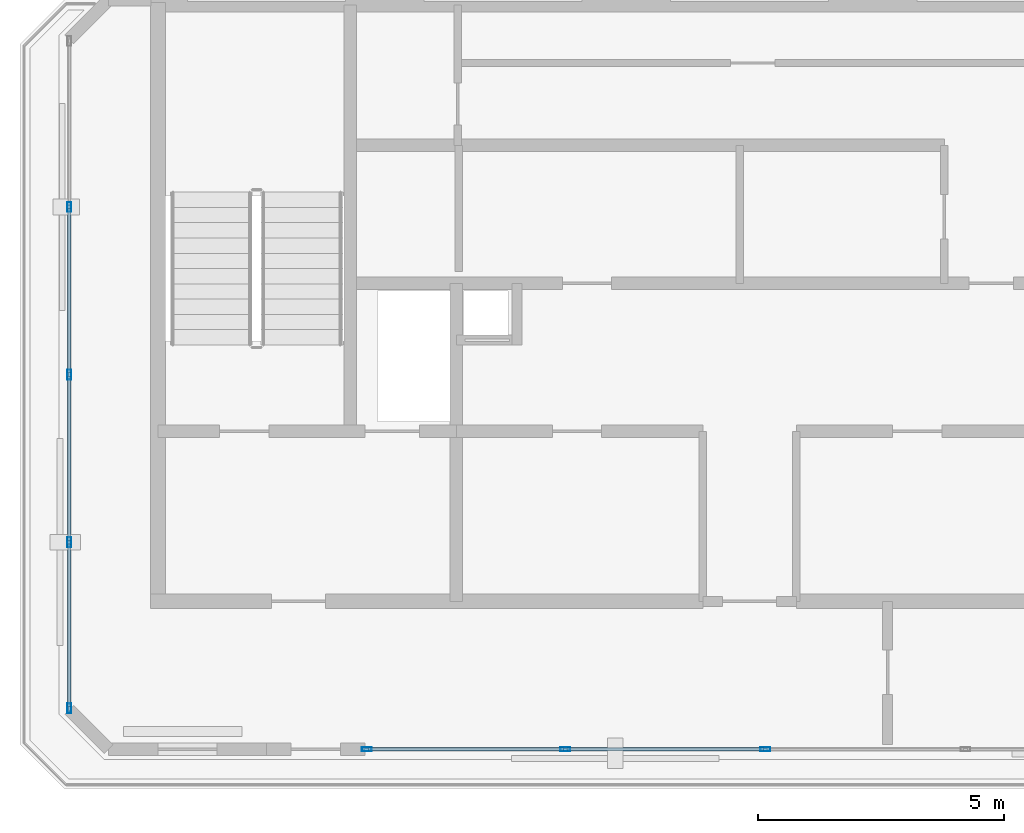
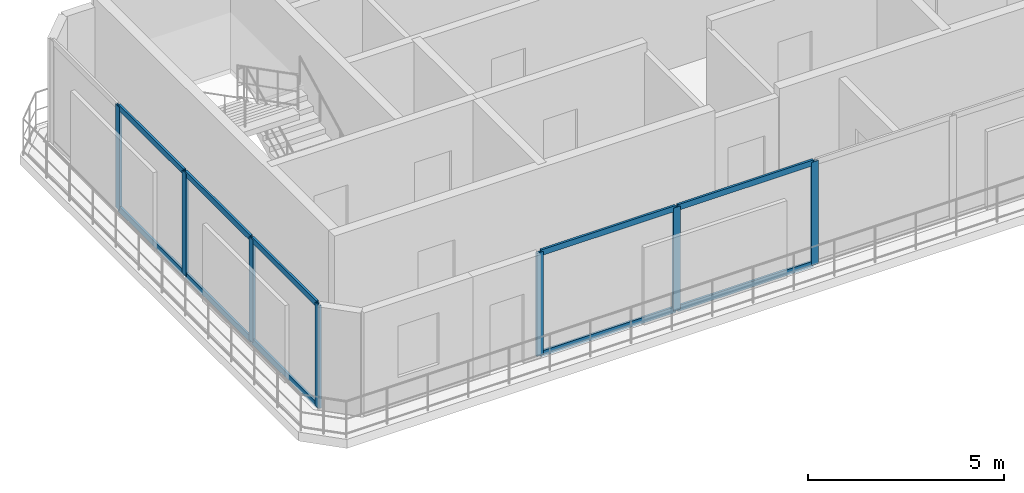
# One storey, part 1 of 7: 17 members, 2 elements without a shape of their own.
"""IFC4 building model written with IfcOpenShell, lengths in metres."""

from ifc_helpers import new_model, si_unit, direction, frame, origin, origin_2d, place, context, subcontext, project, spatial, hollow_rectangle, extrude, material, layer, layer_set, material_profile, profile_set, type_object, element, aggregate, save


model = new_model("IFC4")

# Units and contexts
model_context = context("Model", 3, precision=1e-05, world=origin(), true_north=direction((0.0, 1.0)))
body_context = subcontext(model_context, "Body", "Model", "MODEL_VIEW")
ifc_project = project(units=[si_unit("LENGTHUNIT", "METRE"), si_unit("AREAUNIT", "SQUARE_METRE"), si_unit("VOLUMEUNIT", "CUBIC_METRE"), si_unit("PLANEANGLEUNIT", "RADIAN"), si_unit("MASSUNIT", "GRAM", prefix="KILO")], contexts=[model_context])

# Site, building, storey
site_placement = place(None, origin())
site = spatial("IfcSite", under=ifc_project, at=site_placement, CompositionType="ELEMENT")
building_placement = place(site_placement, origin())
building = spatial("IfcBuilding", under=site, at=building_placement, Name="Catumbela Crestline Tower", CompositionType="ELEMENT")
storey_placement = place(building_placement, frame((0.0, 0.0, 311.5)))
storey = spatial("IfcBuildingStorey", under=building, at=storey_placement, Name="L80", CompositionType="ELEMENT", Elevation=311.5)

# Curtain wall, members
ifc_material = material(Name="Aluminium alloy AW-6060-T66", Category="aluminium")
ifc_layer = layer(ifc_material, 0.18, Name="Aluminium alloy AW-6060-T66")
ifc_layer_set = layer_set([ifc_layer], Name="Aluminium alloy AW-6060-T66")
curtain_wall_type = type_object("IfcCurtainWallType", Name="CWS-OBS", PredefinedType="USERDEFINED", material=ifc_layer_set)
curtain_wall_1_placement = place(storey_placement, origin())
curtain_wall_1 = element("IfcCurtainWall", 1, at=curtain_wall_1_placement, inside=storey, type_object=curtain_wall_type, Name="L80 Stick Curtain Wall CW-L80-E0S2", ObjectType="STICK", PredefinedType="USERDEFINED")
ifc_material_profile_1 = material_profile(ifc_material, hollow_rectangle(XDim=0.075, YDim=0.2, WallThickness=0.005, at=origin_2d()), Name="ALU 200x75x5")
ifc_profile_set_1 = profile_set([ifc_material_profile_1], Name="Aluminium alloy AW-6060-T66")
member_type_1 = type_object("IfcMemberType", Name="MUL-200X75", PredefinedType="MULLION", material=ifc_profile_set_1)
member_1_placement = place(storey_placement, frame((20.2325, 27.8, 0.0), z_axis=(0.0, 0.0, 1.0), x_axis=(0.0, 1.0, 0.0)))
member_1 = element("IfcMember", 2, at=member_1_placement, type_object=member_type_1, Name="CWS-OBS mullion 1", PredefinedType="MULLION", context=body_context, shape_type="SweptSolid", body=[
    extrude(hollow_rectangle(XDim=0.075, YDim=0.2, WallThickness=0.005, at=origin_2d()), origin(), (0.0, 0.0, 1.0), 3.21),
])
member_2_placement = place(storey_placement, frame((24.26, 27.8, 0.0), z_axis=(0.0, 0.0, 1.0), x_axis=(0.0, 1.0, 0.0)))
member_2 = element("IfcMember", 3, at=member_2_placement, type_object=member_type_1, Name="CWS-OBS mullion 2", PredefinedType="MULLION", context=body_context, shape_type="SweptSolid", body=[
    extrude(hollow_rectangle(XDim=0.075, YDim=0.2, WallThickness=0.005, at=origin_2d()), origin(), (0.0, 0.0, 1.0), 3.21),
])
member_3_placement = place(storey_placement, frame((28.32, 27.8, 0.0), z_axis=(0.0, 0.0, 1.0), x_axis=(0.0, 1.0, 0.0)))
member_3 = element("IfcMember", 4, at=member_3_placement, type_object=member_type_1, Name="CWS-OBS mullion 3", PredefinedType="MULLION", context=body_context, shape_type="SweptSolid", body=[
    extrude(hollow_rectangle(XDim=0.075, YDim=0.2, WallThickness=0.005, at=origin_2d()), origin(), (0.0, 0.0, 1.0), 3.21),
])

curtain_wall_2_placement = place(storey_placement, origin())
curtain_wall_2 = element("IfcCurtainWall", 5, at=curtain_wall_2_placement, inside=storey, type_object=curtain_wall_type, Name="L80 Stick Curtain Wall CW-L80-E6S1", ObjectType="STICK", PredefinedType="USERDEFINED")
member_4_placement = place(storey_placement, frame((14.2, 38.8, 0.0), z_axis=(0.0, 0.0, 1.0), x_axis=(1.0, 0.0, 0.0)))
member_4 = element("IfcMember", 6, at=member_4_placement, type_object=member_type_1, Name="CWS-OBS mullion 2", PredefinedType="MULLION", context=body_context, shape_type="SweptSolid", body=[
    extrude(hollow_rectangle(XDim=0.075, YDim=0.2, WallThickness=0.005, at=origin_2d()), origin(), (0.0, 0.0, 1.0), 3.21),
])
member_5_placement = place(storey_placement, frame((14.2, 35.4, 0.0), z_axis=(0.0, 0.0, 1.0), x_axis=(1.0, 0.0, 0.0)))
member_5 = element("IfcMember", 7, at=member_5_placement, type_object=member_type_1, Name="CWS-OBS mullion 3", PredefinedType="MULLION", context=body_context, shape_type="SweptSolid", body=[
    extrude(hollow_rectangle(XDim=0.075, YDim=0.2, WallThickness=0.005, at=origin_2d()), origin(), (0.0, 0.0, 1.0), 3.21),
])
member_6_placement = place(storey_placement, frame((14.2, 32.0, 0.0), z_axis=(0.0, 0.0, 1.0), x_axis=(1.0, 0.0, 0.0)))
member_6 = element("IfcMember", 8, at=member_6_placement, type_object=member_type_1, Name="CWS-OBS mullion 4", PredefinedType="MULLION", context=body_context, shape_type="SweptSolid", body=[
    extrude(hollow_rectangle(XDim=0.075, YDim=0.2, WallThickness=0.005, at=origin_2d()), origin(), (0.0, 0.0, 1.0), 3.21),
])
member_7_placement = place(storey_placement, frame((14.2, 28.6325, 0.0), z_axis=(0.0, 0.0, 1.0), x_axis=(1.0, 0.0, 0.0)))
member_7 = element("IfcMember", 9, at=member_7_placement, type_object=member_type_1, Name="CWS-OBS mullion 5", PredefinedType="MULLION", context=body_context, shape_type="SweptSolid", body=[
    extrude(hollow_rectangle(XDim=0.075, YDim=0.2, WallThickness=0.005, at=origin_2d()), origin(), (0.0, 0.0, 1.0), 3.21),
])

# Member
ifc_material_profile_2 = material_profile(ifc_material, hollow_rectangle(XDim=0.065, YDim=0.18, WallThickness=0.004, at=origin_2d()), Name="ALU 180x65x4")
ifc_profile_set_2 = profile_set([ifc_material_profile_2], Name="Aluminium alloy AW-6060-T66")
member_type_2 = type_object("IfcMemberType", Name="TRN-180X65", PredefinedType="USERDEFINED", material=ifc_profile_set_2)
member_8_placement = place(storey_placement, frame((20.265, 27.8, 0.03), z_axis=(1.0, 0.0, 0.0), x_axis=(0.0, 1.0, 0.0)))
member_8 = element("IfcMember", 10, at=member_8_placement, type_object=member_type_2, Name="CWS-OBS transom 1.1", ObjectType="TRANSOM", PredefinedType="USERDEFINED", context=body_context, shape_type="SweptSolid", body=[
    extrude(hollow_rectangle(XDim=0.065, YDim=0.18, WallThickness=0.004, at=origin_2d()), origin(), (0.0, 0.0, 1.0), 3.9625),
])

member_9_placement = place(storey_placement, frame((20.265, 27.8, 3.18), z_axis=(1.0, 0.0, 0.0), x_axis=(0.0, 1.0, 0.0)))
member_9 = element("IfcMember", 11, at=member_9_placement, type_object=member_type_2, Name="CWS-OBS transom 1.2", ObjectType="TRANSOM", PredefinedType="USERDEFINED", context=body_context, shape_type="SweptSolid", body=[
    extrude(hollow_rectangle(XDim=0.065, YDim=0.18, WallThickness=0.004, at=origin_2d()), origin(), (0.0, 0.0, 1.0), 3.9625),
])

member_10_placement = place(storey_placement, frame((24.2925, 27.8, 0.03), z_axis=(1.0, 0.0, 0.0), x_axis=(0.0, 1.0, 0.0)))
member_10 = element("IfcMember", 12, at=member_10_placement, type_object=member_type_2, Name="CWS-OBS transom 2.1", ObjectType="TRANSOM", PredefinedType="USERDEFINED", context=body_context, shape_type="SweptSolid", body=[
    extrude(hollow_rectangle(XDim=0.065, YDim=0.18, WallThickness=0.004, at=origin_2d()), origin(), (0.0, 0.0, 1.0), 3.995),
])

member_11_placement = place(storey_placement, frame((24.2925, 27.8, 3.18), z_axis=(1.0, 0.0, 0.0), x_axis=(0.0, 1.0, 0.0)))
member_11 = element("IfcMember", 13, at=member_11_placement, type_object=member_type_2, Name="CWS-OBS transom 2.2", ObjectType="TRANSOM", PredefinedType="USERDEFINED", context=body_context, shape_type="SweptSolid", body=[
    extrude(hollow_rectangle(XDim=0.065, YDim=0.18, WallThickness=0.004, at=origin_2d()), origin(), (0.0, 0.0, 1.0), 3.995),
])

aggregate(curtain_wall_1, [member_1, member_2, member_3, member_8, member_9, member_10, member_11])

member_12_placement = place(storey_placement, frame((14.2, 38.7675, 0.03), z_axis=(0.0, -1.0, 0.0), x_axis=(1.0, 0.0, 0.0)))
member_12 = element("IfcMember", 14, at=member_12_placement, type_object=member_type_2, Name="CWS-OBS transom 2.1", ObjectType="TRANSOM", PredefinedType="USERDEFINED", context=body_context, shape_type="SweptSolid", body=[
    extrude(hollow_rectangle(XDim=0.065, YDim=0.18, WallThickness=0.004, at=origin_2d()), origin(), (0.0, 0.0, 1.0), 3.335),
])

member_13_placement = place(storey_placement, frame((14.2, 38.7675, 3.18), z_axis=(0.0, -1.0, 0.0), x_axis=(1.0, 0.0, 0.0)))
member_13 = element("IfcMember", 15, at=member_13_placement, type_object=member_type_2, Name="CWS-OBS transom 2.2", ObjectType="TRANSOM", PredefinedType="USERDEFINED", context=body_context, shape_type="SweptSolid", body=[
    extrude(hollow_rectangle(XDim=0.065, YDim=0.18, WallThickness=0.004, at=origin_2d()), origin(), (0.0, 0.0, 1.0), 3.335),
])

member_14_placement = place(storey_placement, frame((14.2, 35.3675, 0.03), z_axis=(0.0, -1.0, 0.0), x_axis=(1.0, 0.0, 0.0)))
member_14 = element("IfcMember", 16, at=member_14_placement, type_object=member_type_2, Name="CWS-OBS transom 3.1", ObjectType="TRANSOM", PredefinedType="USERDEFINED", context=body_context, shape_type="SweptSolid", body=[
    extrude(hollow_rectangle(XDim=0.065, YDim=0.18, WallThickness=0.004, at=origin_2d()), origin(), (0.0, 0.0, 1.0), 3.335),
])

member_15_placement = place(storey_placement, frame((14.2, 35.3675, 3.18), z_axis=(0.0, -1.0, 0.0), x_axis=(1.0, 0.0, 0.0)))
member_15 = element("IfcMember", 17, at=member_15_placement, type_object=member_type_2, Name="CWS-OBS transom 3.2", ObjectType="TRANSOM", PredefinedType="USERDEFINED", context=body_context, shape_type="SweptSolid", body=[
    extrude(hollow_rectangle(XDim=0.065, YDim=0.18, WallThickness=0.004, at=origin_2d()), origin(), (0.0, 0.0, 1.0), 3.335),
])

member_16_placement = place(storey_placement, frame((14.2, 31.9675, 0.03), z_axis=(0.0, -1.0, 0.0), x_axis=(1.0, 0.0, 0.0)))
member_16 = element("IfcMember", 18, at=member_16_placement, type_object=member_type_2, Name="CWS-OBS transom 4.1", ObjectType="TRANSOM", PredefinedType="USERDEFINED", context=body_context, shape_type="SweptSolid", body=[
    extrude(hollow_rectangle(XDim=0.065, YDim=0.18, WallThickness=0.004, at=origin_2d()), origin(), (0.0, 0.0, 1.0), 3.3025),
])

member_17_placement = place(storey_placement, frame((14.2, 31.9675, 3.18), z_axis=(0.0, -1.0, 0.0), x_axis=(1.0, 0.0, 0.0)))
member_17 = element("IfcMember", 19, at=member_17_placement, type_object=member_type_2, Name="CWS-OBS transom 4.2", ObjectType="TRANSOM", PredefinedType="USERDEFINED", context=body_context, shape_type="SweptSolid", body=[
    extrude(hollow_rectangle(XDim=0.065, YDim=0.18, WallThickness=0.004, at=origin_2d()), origin(), (0.0, 0.0, 1.0), 3.3025),
])

aggregate(curtain_wall_2, [member_4, member_5, member_6, member_7, member_12, member_13, member_14, member_15, member_16, member_17])

save(model, "model.ifc")
